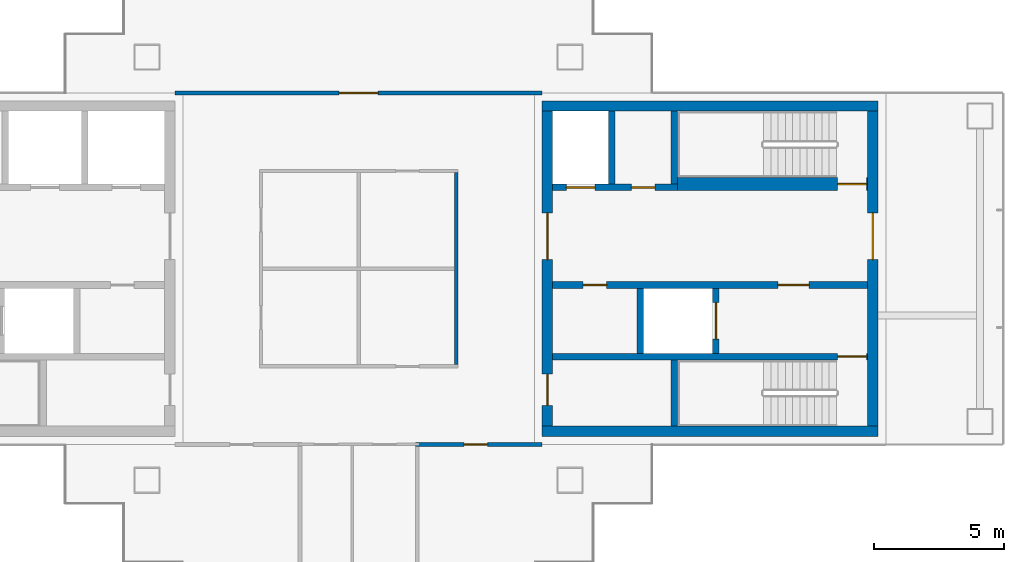
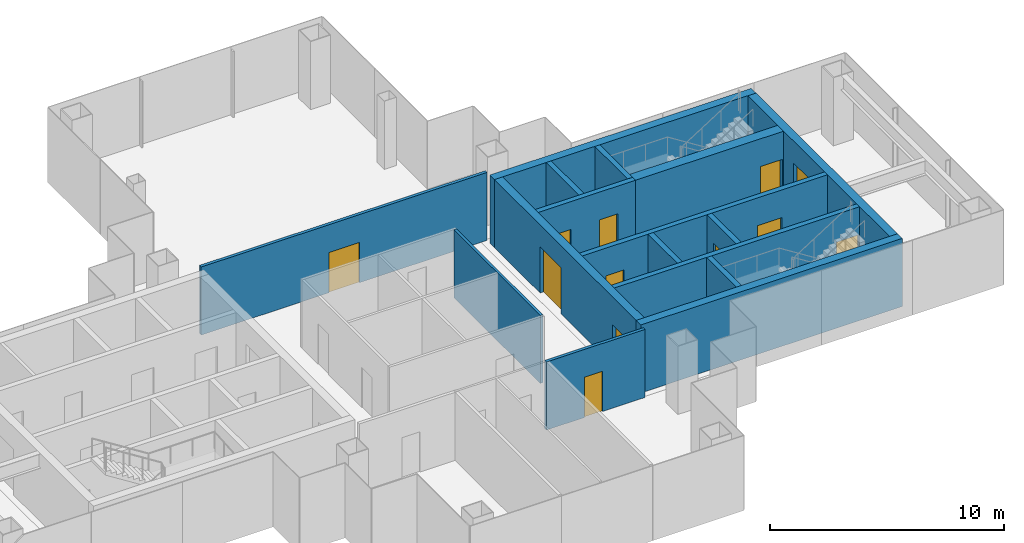
# One storey, part 11 of 15: 16 walls, 12 doors, 12 openings.
"""IFC4 building model written with IfcOpenShell, lengths in metres."""

import ifcopenshell
import ifcopenshell.guid

model = None  # the IFC model being written
_history = None  # IfcOwnerHistory: only IFC2X3 demands one
_inside = {}  # id of a spatial element -> (the spatial element, [elements in it])
_under = {}  # id of a project, library or spatial element -> (it, [spatial elements below it])
_declared = {}  # id of a project -> (the project, [libraries it declares])
_typed = {}  # id of a type object -> (the type object, [elements of that type])
_made_of = {}  # id of a material, layer set ... -> (it, [elements and type objects made of it])


def new_model(schema):
    """Start an empty IFC model of exactly this schema.

    Asked for "IFC4X3", IfcOpenShell would pick the latest addendum, in which some entities
    have other attributes; the version numbers below select the first issue.
    IFC2X3 requires an IfcOwnerHistory on every rooted entity: one is made here for all.
    """
    global model, _history
    if schema == "IFC4X3":
        model = ifcopenshell.file(schema_version=(4, 3, 0, 0))
    else:
        model = ifcopenshell.file(schema=schema)
    _inside.clear()
    _under.clear()
    _declared.clear()
    _typed.clear()
    _made_of.clear()
    _history = None
    if model.schema == "IFC2X3":
        org = make("IfcOrganization", Name="unknown")
        user = make(
            "IfcPersonAndOrganization",
            ThePerson=make("IfcPerson", FamilyName="unknown"),
            TheOrganization=org,
        )
        app = make(
            "IfcApplication",
            ApplicationDeveloper=org,
            Version="unknown",
            ApplicationFullName="unknown",
            ApplicationIdentifier="unknown",
        )
        _history = make(
            "IfcOwnerHistory",
            OwningUser=user,
            OwningApplication=app,
            ChangeAction="ADDED",
            CreationDate=0,
        )
    return model


def make(cls, **values):
    """One entity of the class cls with the attributes given. An attribute that is None is left unset."""
    return model.create_entity(
        cls, **{name: value for name, value in values.items() if value is not None}
    )


def rooted(cls, **values):
    """An entity with a GlobalId (a new one), such as an element, a storey or a relation."""
    return make(cls, GlobalId=ifcopenshell.guid.new(), OwnerHistory=_history, **values)


def si_unit(unit_type, name, prefix=None):
    """IfcSIUnit, for example si_unit("LENGTHUNIT", "METRE", prefix="MILLI")."""
    return make("IfcSIUnit", UnitType=unit_type, Prefix=prefix, Name=name)


def assignment(units):
    """IfcUnitAssignment: the units of a project."""
    return None if units is None else make("IfcUnitAssignment", Units=units)


def point(xyz):
    """IfcCartesianPoint."""
    return None if xyz is None else make("IfcCartesianPoint", Coordinates=xyz)


def direction(xyz):
    """IfcDirection."""
    return None if xyz is None else make("IfcDirection", DirectionRatios=xyz)


def frame(location, z_axis=None, x_axis=None):
    """IfcAxis2Placement3D, a coordinate frame: its origin and axes. An axis left out is left unset."""
    return make(
        "IfcAxis2Placement3D",
        Location=point(location),
        Axis=direction(z_axis),
        RefDirection=direction(x_axis),
    )


def frame_2d(location, x_axis=None):
    """IfcAxis2Placement2D, a coordinate frame in the plane: its origin and x axis."""
    return make(
        "IfcAxis2Placement2D", Location=point(location), RefDirection=direction(x_axis)
    )


def origin():
    """The frame at (0, 0, 0) with its axes left unset."""
    return frame((0.0, 0.0, 0.0))


def place(relative_to, where):
    """IfcLocalPlacement: puts the frame where relative to a parent placement (None: the world)."""
    return make(
        "IfcLocalPlacement", PlacementRelTo=relative_to, RelativePlacement=where
    )


def context(
    kind, dimensions, precision=None, world=None, true_north=None, identifier=None
):
    """IfcGeometricRepresentationContext, for example the 3D "Model" context."""
    return make(
        "IfcGeometricRepresentationContext",
        ContextIdentifier=identifier,
        ContextType=kind,
        CoordinateSpaceDimension=dimensions,
        Precision=precision,
        WorldCoordinateSystem=world,
        TrueNorth=true_north,
    )


def subcontext(parent, identifier, kind, view, scale=None):
    """IfcGeometricRepresentationSubContext, for example "Body" below "Model"."""
    return make(
        "IfcGeometricRepresentationSubContext",
        ContextIdentifier=identifier,
        ContextType=kind,
        ParentContext=parent,
        TargetScale=scale,
        TargetView=view,
    )


def project(units=None, contexts=None):
    """IfcProject with its units and contexts."""
    return rooted(
        "IfcProject",
        Name="project",
        RepresentationContexts=contexts,
        UnitsInContext=assignment(units),
    )


def spatial(cls, under=None, at=None, **own):
    """A site, building, storey or space (cls), placed at a placement, below another one or the project."""
    s = rooted(cls, ObjectPlacement=at, **own)
    if under is not None:
        _under.setdefault(under.id(), (under, []))[1].append(s)
    return s


def profile(cls, at=None, kind="AREA", **sizes):
    """A parametric profile (cls). Its sizes go by their IFC names, for example OverallWidth=200.0."""
    return make(cls, ProfileType=kind, Position=at, **sizes)


def rectangle(**sizes):
    """IfcRectangleProfileDef."""
    return profile("IfcRectangleProfileDef", **sizes)


def extrude(swept, where, along, depth):
    """IfcExtrudedAreaSolid: the profile swept, set in the frame where, extruded along a direction by depth."""
    return make(
        "IfcExtrudedAreaSolid",
        SweptArea=swept,
        Position=where,
        ExtrudedDirection=direction(along),
        Depth=depth,
    )


def shape(context_of_items, identifier, shape_type, items):
    """IfcShapeRepresentation: the items that make up one representation, for example the "Body"."""
    return make(
        "IfcShapeRepresentation",
        ContextOfItems=context_of_items,
        RepresentationIdentifier=identifier,
        RepresentationType=shape_type,
        Items=items,
    )


def material(Name=None, Category=None):
    """IfcMaterial."""
    return make("IfcMaterial", Name=Name, Category=Category)


def layer(
    of_material, thickness, ventilated=None, Name=None, Category=None, Priority=None
):
    """IfcMaterialLayer: one layer of a wall or slab, of a material (None: an air gap)."""
    return make(
        "IfcMaterialLayer",
        Material=of_material,
        LayerThickness=thickness,
        IsVentilated=ventilated,
        Name=Name,
        Category=Category,
        Priority=Priority,
    )


def layer_set(layers, Name=None):
    """IfcMaterialLayerSet."""
    return make("IfcMaterialLayerSet", MaterialLayers=layers, LayerSetName=Name)


def made_of(thing, what):
    """Note that an element or type object is made of a material, layer set ...; save() writes the relation."""
    if what is not None:
        _made_of.setdefault(what.id(), (what, []))[1].append(thing)
    return thing


def type_object(cls, material=None, **own):
    """A type object (cls), such as IfcWallType, which elements share."""
    return made_of(rooted(cls, **own), material)


def element(
    cls,
    number,
    at=None,
    inside=None,
    cuts=None,
    type_object=None,
    material=None,
    context=None,
    identifier="Body",
    shape_type=None,
    held_by="IfcProductDefinitionShape",
    body=None,
    shapes=None,
    **own,
):
    """One element of the class cls, such as IfcWall. Its Tag is "e" and its number.

    at: its placement. inside: the storey or other place that contains it. cuts: it is an
    opening in that element (IfcRelVoidsElement). A single representation is given by context,
    identifier, shape_type and body (its items); several are given by shapes. held_by: the class
    of the entity that holds the representations. save() writes the other relations.
    """
    e = rooted(cls, Tag="e%d" % number, ObjectPlacement=at, **own)
    if body is not None:
        shapes = [shape(context, identifier, shape_type, body)]
    if shapes is not None:
        e.Representation = make(held_by, Representations=shapes)
    if inside is not None:
        _inside.setdefault(inside.id(), (inside, []))[1].append(e)
    if cuts is not None:
        rooted(
            "IfcRelVoidsElement", RelatingBuildingElement=cuts, RelatedOpeningElement=e
        )
    if type_object is not None:
        _typed.setdefault(type_object.id(), (type_object, []))[1].append(e)
    return made_of(e, material)


def fill(opening, filler):
    """IfcRelFillsElement: the door or window that sits in an opening."""
    return rooted(
        "IfcRelFillsElement",
        RelatingOpeningElement=opening,
        RelatedBuildingElement=filler,
    )


def aggregate(whole, parts):
    """IfcRelAggregates: a whole, such as a stair, and the parts it consists of."""
    return rooted("IfcRelAggregates", RelatingObject=whole, RelatedObjects=parts)


def save(model, path):
    """Write the relations noted so far, then the file.

    IfcRelAggregates (storeys below a building ...), IfcRelContainedInSpatialStructure (elements
    in a storey), IfcRelDefinesByType, IfcRelAssociatesMaterial and IfcRelDeclares: one each for
    every whole, place, type object, material and project.
    """
    for whole, parts in _under.values():
        aggregate(whole, parts)
    for where, things in _inside.values():
        rooted(
            "IfcRelContainedInSpatialStructure",
            RelatedElements=things,
            RelatingStructure=where,
        )
    for kind, things in _typed.values():
        rooted("IfcRelDefinesByType", RelatedObjects=things, RelatingType=kind)
    for what, things in _made_of.values():
        rooted("IfcRelAssociatesMaterial", RelatedObjects=things, RelatingMaterial=what)
    for by, libraries in _declared.values():
        rooted("IfcRelDeclares", RelatingContext=by, RelatedDefinitions=libraries)
    model.write(path)


model = new_model("IFC4")

# Units and contexts
model_context = context("Model", 3, precision=1e-05, world=origin(), true_north=direction((0.0, 1.0)))
body_context = subcontext(model_context, "Body", "Model", "MODEL_VIEW")
ifc_project = project(units=[si_unit("LENGTHUNIT", "METRE"), si_unit("AREAUNIT", "SQUARE_METRE"), si_unit("VOLUMEUNIT", "CUBIC_METRE"), si_unit("PLANEANGLEUNIT", "RADIAN"), si_unit("MASSUNIT", "GRAM", prefix="KILO")], contexts=[model_context])

# Site, building, storey
site_placement = place(None, origin())
site = spatial("IfcSite", under=ifc_project, at=site_placement, CompositionType="ELEMENT")
building_placement = place(site_placement, origin())
building = spatial("IfcBuilding", under=site, at=building_placement, Name="Shamsa Quay Exchange Towers", CompositionType="ELEMENT")
storey_placement = place(building_placement, frame((0.0, 0.0, 206.10009765625)))
storey = spatial("IfcBuildingStorey", under=building, at=storey_placement, Name="L49", CompositionType="ELEMENT", Elevation=206.10009765625)

# Walls
ifc_material_1 = material(Name="Concrete C60/75", Category="concrete")
ifc_layer_1 = layer(ifc_material_1, 0.39990234375)
ifc_layer_set_1 = layer_set([ifc_layer_1], Name="CORE WALL 400 C60/75")
wall_type_1 = type_object("IfcWallType", Name="CORE WALL 400 C60/75", PredefinedType="SHEAR", material=ifc_layer_set_1)
for number, where, z_axis, x_axis, name in (
    (1, (53.699951171875, -6.25, 0.0), (0.0, 0.0, 1.0), (-1.0, 0.0, 0.0), "Core wall T2B-R22-PS"),
    (2, (53.699951171875, 6.25, 0.0), (0.0, 0.0, 1.0), (-1.0, 0.0, 0.0), "Core wall T2B-R22-PN"),
):
    element("IfcWall", number, at=place(storey_placement, frame(where, z_axis=z_axis, x_axis=x_axis)), inside=storey, type_object=wall_type_1, Name=name, PredefinedType="SHEAR", context=body_context, shape_type="SweptSolid", body=[
        extrude(rectangle(XDim=12.89990234375, YDim=0.39990234375, at=frame_2d((6.449951171875, 0.0))), origin(), (0.0, 0.0, 1.0), 3.5498046875),
    ])

# Wall, opening, door
wall_1_placement = place(storey_placement, frame((53.5, -6.050048828125, 0.0), z_axis=(0.0, 0.0, 1.0), x_axis=(0.0, 1.0, 0.0)))
wall_1 = element("IfcWall", 3, at=wall_1_placement, inside=storey, type_object=wall_type_1, Name="Core wall T2B-R22-PF", PredefinedType="SHEAR", context=body_context, shape_type="SweptSolid", body=[
    extrude(rectangle(XDim=12.10009765625, YDim=0.39990234375, at=frame_2d((6.050048828125, 0.0))), origin(), (0.0, 0.0, 1.0), 3.5498046875),
])
opening_1_placement = place(wall_1_placement, frame((6.39990234375, 0.0, 0.0)))
opening_1 = element("IfcOpeningElement", 4, at=opening_1_placement, cuts=wall_1, Name="Opening T2B-R22-LBD01", PredefinedType="OPENING", context=body_context, shape_type="SweptSolid", body=[
    extrude(rectangle(XDim=1.800048828125, YDim=2.39990234375, at=frame_2d((0.89990234375, 1.199951171875))), frame((0.0, 0.2099609375, 0.0), z_axis=(0.0, -1.0, 0.0), x_axis=(1.0, 0.0, 0.0)), (0.0, 0.0, 1.0), 0.419921875),
])
ifc_material_2 = material(Name="Steel, fire rated", Category="steel")
door_type_1 = type_object("IfcDoorType", Name="LIFT LOBBY DOOR PAIR 1800", OperationType="DOUBLE_DOOR_SINGLE_SWING", PredefinedType="DOOR", material=ifc_material_2)
door_1_placement = place(opening_1_placement, origin())
door_1 = element("IfcDoor", 5, at=door_1_placement, inside=storey, type_object=door_type_1, Name="T2B-R22-LBD01", OperationType="DOUBLE_DOOR_SINGLE_SWING", OverallHeight=2.39990234375, OverallWidth=1.800048828125, PredefinedType="DOOR", context=body_context, shape_type="SweptSolid", body=[
    extrude(rectangle(XDim=1.800048828125, YDim=2.39990234375, at=frame_2d((0.89990234375, 1.199951171875))), frame((0.0, 0.02490234375, 0.0), z_axis=(0.0, -1.0, 0.0), x_axis=(1.0, 0.0, 0.0)), (0.0, 0.0, 1.0), 0.050048828125),
])
fill(opening_1, door_1)

# Wall, openings, doors
wall_2_placement = place(storey_placement, frame((41.0, -6.050048828125, 0.0), z_axis=(0.0, 0.0, 1.0), x_axis=(0.0, 1.0, 0.0)))
wall_2 = element("IfcWall", 6, at=wall_2_placement, inside=storey, type_object=wall_type_1, Name="Core wall T2B-R22-PB", PredefinedType="SHEAR", context=body_context, shape_type="SweptSolid", body=[
    extrude(rectangle(XDim=12.10009765625, YDim=0.39990234375, at=frame_2d((6.050048828125, 0.0))), origin(), (0.0, 0.0, 1.0), 3.5498046875),
])
opening_2_placement = place(wall_2_placement, frame((0.800048828125, 0.0, 0.0)))
opening_2 = element("IfcOpeningElement", 7, at=opening_2_placement, cuts=wall_2, Name="Opening T2B-R22-RD02", PredefinedType="OPENING", context=body_context, shape_type="SweptSolid", body=[
    extrude(rectangle(XDim=1.199951171875, YDim=2.10009765625, at=frame_2d((0.60009765625, 1.050048828125))), frame((0.0, 0.2099609375, 0.0), z_axis=(0.0, -1.0, 0.0), x_axis=(1.0, 0.0, 0.0)), (0.0, 0.0, 1.0), 0.419921875),
])
opening_3_placement = place(wall_2_placement, frame((6.39990234375, 0.0, 0.0)))
opening_3 = element("IfcOpeningElement", 8, at=opening_3_placement, cuts=wall_2, Name="Opening T2B-R22-LBD03", PredefinedType="OPENING", context=body_context, shape_type="SweptSolid", body=[
    extrude(rectangle(XDim=1.800048828125, YDim=2.39990234375, at=frame_2d((0.89990234375, 1.199951171875))), frame((0.0, 0.2099609375, 0.0), z_axis=(0.0, -1.0, 0.0), x_axis=(1.0, 0.0, 0.0)), (0.0, 0.0, 1.0), 0.419921875),
])
door_2_placement = place(opening_3_placement, origin())
door_2 = element("IfcDoor", 9, at=door_2_placement, inside=storey, type_object=door_type_1, Name="T2B-R22-LBD03", OperationType="DOUBLE_DOOR_SINGLE_SWING", OverallHeight=2.39990234375, OverallWidth=1.800048828125, PredefinedType="DOOR", context=body_context, shape_type="SweptSolid", body=[
    extrude(rectangle(XDim=1.800048828125, YDim=2.39990234375, at=frame_2d((0.89990234375, 1.199951171875))), frame((0.0, 0.02490234375, 0.0), z_axis=(0.0, -1.0, 0.0), x_axis=(1.0, 0.0, 0.0)), (0.0, 0.0, 1.0), 0.050048828125),
])
fill(opening_3, door_2)
door_type_2 = type_object("IfcDoorType", Name="RISER ACCESS DOOR 1200", OperationType="SINGLE_SWING_LEFT", PredefinedType="DOOR", material=ifc_material_2)
door_3_placement = place(opening_2_placement, origin())
door_3 = element("IfcDoor", 10, at=door_3_placement, inside=storey, type_object=door_type_2, Name="T2B-R22-RD02", OperationType="SINGLE_SWING_LEFT", OverallHeight=2.10009765625, OverallWidth=1.199951171875, PredefinedType="DOOR", context=body_context, shape_type="SweptSolid", body=[
    extrude(rectangle(XDim=1.199951171875, YDim=2.10009765625, at=frame_2d((0.60009765625, 1.050048828125))), frame((0.0, 0.02490234375, 0.0), z_axis=(0.0, -1.0, 0.0), x_axis=(1.0, 0.0, 0.0)), (0.0, 0.0, 1.0), 0.050048828125),
])
fill(opening_2, door_3)

# Wall
ifc_material_3 = material(Name="Laminated fire-resisting glass in a metal frame", Category="glass")
ifc_layer_2 = layer(ifc_material_3, 0.125)
ifc_layer_set_2 = layer_set([ifc_layer_2], Name="Glazed partition 125 mm EI 60")
wall_type_2 = type_object("IfcWallType", Name="Glazed partition 125 mm EI 60", PredefinedType="PARTITIONING", material=ifc_layer_set_2)
wall_3_placement = place(storey_placement, frame((37.5, -3.6875, 0.0), z_axis=(0.0, 0.0, 1.0), x_axis=(0.0, 1.0, 0.0)))
element("IfcWall", 11, at=wall_3_placement, inside=storey, type_object=wall_type_2, Name="Partition T2-R22-W04", PredefinedType="PARTITIONING", context=body_context, shape_type="SweptSolid", body=[
    extrude(rectangle(XDim=7.375, YDim=0.125, at=frame_2d((3.6875, 0.0))), origin(), (0.0, 0.0, 1.0), 3.5498046875),
])

# Wall, opening, door
ifc_material_4 = material(Name="Gypsum board partition on metal studs")
ifc_layer_3 = layer(ifc_material_4, 0.14990234375)
ifc_layer_set_3 = layer_set([ifc_layer_3], Name="Partition 150 mm EI 60")
wall_type_3 = type_object("IfcWallType", Name="Partition 150 mm EI 60", PredefinedType="PARTITIONING", material=ifc_layer_set_3)
wall_4_placement = place(storey_placement, frame((26.699951171875, 6.75, 0.0)))
wall_4 = element("IfcWall", 12, at=wall_4_placement, inside=storey, type_object=wall_type_3, Name="Partition T2-R22-W05", PredefinedType="PARTITIONING", context=body_context, shape_type="SweptSolid", body=[
    extrude(rectangle(XDim=14.10009765625, YDim=0.14990234375, at=frame_2d((7.050048828125, 0.0))), origin(), (0.0, 0.0, 1.0), 3.5498046875),
])
opening_4_placement = place(wall_4_placement, frame((6.300048828125, 0.0, 0.0)))
opening_4 = element("IfcOpeningElement", 13, at=opening_4_placement, cuts=wall_4, Name="Opening T2-R22-D01", PredefinedType="OPENING", context=body_context, shape_type="SweptSolid", body=[
    extrude(rectangle(XDim=1.5, YDim=2.10009765625, at=frame_2d((0.75, 1.050048828125))), frame((0.0, 0.0849609375, 0.0), z_axis=(0.0, -1.0, 0.0), x_axis=(1.0, 0.0, 0.0)), (0.0, 0.0, 1.0), 0.169921875),
])
ifc_material_5 = material(Name="Timber door leaf in a metal frame", Category="wood")
door_type_3 = type_object("IfcDoorType", Name="Door 1500x2100 FD30S pair", OperationType="NOTDEFINED", PredefinedType="DOOR", material=ifc_material_5)
door_4_placement = place(opening_4_placement, origin())
door_4 = element("IfcDoor", 14, at=door_4_placement, inside=storey, type_object=door_type_3, Name="Door T2-R22-D01", OperationType="DOUBLE_DOOR_SINGLE_SWING", OverallHeight=2.10009765625, OverallWidth=1.5, PredefinedType="DOOR", context=body_context, shape_type="SweptSolid", body=[
    extrude(rectangle(XDim=1.5, YDim=2.10009765625, at=frame_2d((0.75, 1.050048828125))), frame((0.0, 0.02490234375, 0.0), z_axis=(0.0, -1.0, 0.0), x_axis=(1.0, 0.0, 0.0)), (0.0, 0.0, 1.0), 0.050048828125),
])
fill(opening_4, door_4)

wall_5_placement = place(storey_placement, frame((40.800048828125, -6.75, 0.0), z_axis=(0.0, 0.0, 1.0), x_axis=(-1.0, 0.0, 0.0)))
wall_5 = element("IfcWall", 15, at=wall_5_placement, inside=storey, type_object=wall_type_3, Name="Partition T2-R22-W07", PredefinedType="PARTITIONING", context=body_context, shape_type="SweptSolid", body=[
    extrude(rectangle(XDim=4.875, YDim=0.14990234375, at=frame_2d((2.4375, 0.0))), origin(), (0.0, 0.0, 1.0), 3.5498046875),
])
opening_5_placement = place(wall_5_placement, frame((2.10009765625, 0.0, 0.0)))
opening_5 = element("IfcOpeningElement", 16, at=opening_5_placement, cuts=wall_5, Name="Opening T2-R22-D03", PredefinedType="OPENING", context=body_context, shape_type="SweptSolid", body=[
    extrude(rectangle(XDim=0.89990234375, YDim=2.10009765625, at=frame_2d((0.449951171875, 1.050048828125))), frame((0.0, 0.0849609375, 0.0), z_axis=(0.0, -1.0, 0.0), x_axis=(1.0, 0.0, 0.0)), (0.0, 0.0, 1.0), 0.169921875),
])
door_type_4 = type_object("IfcDoorType", Name="Door 900x2100 FD30S", OperationType="NOTDEFINED", PredefinedType="DOOR", material=ifc_material_5)
door_5_placement = place(opening_5_placement, origin())
door_5 = element("IfcDoor", 17, at=door_5_placement, inside=storey, type_object=door_type_4, Name="Door T2-R22-D03", OperationType="SINGLE_SWING_RIGHT", OverallHeight=2.10009765625, OverallWidth=0.89990234375, PredefinedType="DOOR", context=body_context, shape_type="SweptSolid", body=[
    extrude(rectangle(XDim=0.89990234375, YDim=2.10009765625, at=frame_2d((0.449951171875, 1.050048828125))), frame((0.0, 0.02490234375, 0.0), z_axis=(0.0, -1.0, 0.0), x_axis=(1.0, 0.0, 0.0)), (0.0, 0.0, 1.0), 0.050048828125),
])
fill(opening_5, door_5)

ifc_material_6 = material(Name="Concrete C50/60", Category="concrete")
ifc_layer_4 = layer(ifc_material_6, 0.25)
ifc_layer_set_4 = layer_set([ifc_layer_4], Name="SHAFT WALL 250 C50/60")
wall_type_4 = type_object("IfcWallType", Name="SHAFT WALL 250 C50/60", PredefinedType="SHEAR", material=ifc_layer_set_4)
wall_6_placement = place(storey_placement, frame((53.300048828125, -3.375, 0.0), z_axis=(0.0, 0.0, 1.0), x_axis=(-1.0, 0.0, 0.0)))
wall_6 = element("IfcWall", 18, at=wall_6_placement, inside=storey, type_object=wall_type_4, Name="Shaft wall T2B-R22-STL", PredefinedType="SHEAR", context=body_context, shape_type="SweptSolid", body=[
    extrude(rectangle(XDim=12.10009765625, YDim=0.25, at=frame_2d((6.050048828125, 0.0))), origin(), (0.0, 0.0, 1.0), 3.5498046875),
])
opening_6_placement = place(wall_6_placement, frame((0.050048828125, 0.0, 0.0)))
opening_6 = element("IfcOpeningElement", 19, at=opening_6_placement, cuts=wall_6, Name="Opening T2B-R22-SD04", PredefinedType="OPENING", context=body_context, shape_type="SweptSolid", body=[
    extrude(rectangle(XDim=1.10009765625, YDim=2.10009765625, at=frame_2d((0.550048828125, 1.050048828125))), frame((0.0, 0.135009765625, 0.0), z_axis=(0.0, -1.0, 0.0), x_axis=(1.0, 0.0, 0.0)), (0.0, 0.0, 1.0), 0.27001953125),
])
door_type_5 = type_object("IfcDoorType", Name="STAIR DOOR 1100", OperationType="SINGLE_SWING_LEFT", PredefinedType="DOOR", material=ifc_material_2)
door_6_placement = place(opening_6_placement, origin())
door_6 = element("IfcDoor", 20, at=door_6_placement, inside=storey, type_object=door_type_5, Name="T2B-R22-SD04", OperationType="SINGLE_SWING_LEFT", OverallHeight=2.10009765625, OverallWidth=1.10009765625, PredefinedType="DOOR", context=body_context, shape_type="SweptSolid", body=[
    extrude(rectangle(XDim=1.10009765625, YDim=2.10009765625, at=frame_2d((0.550048828125, 1.050048828125))), frame((0.0, 0.02490234375, 0.0), z_axis=(0.0, -1.0, 0.0), x_axis=(1.0, 0.0, 0.0)), (0.0, 0.0, 1.0), 0.050048828125),
])
fill(opening_6, door_6)

# Wall
wall_7_placement = place(storey_placement, frame((45.875, -6.050048828125, 0.0), z_axis=(0.0, 0.0, 1.0), x_axis=(0.0, 1.0, 0.0)))
element("IfcWall", 21, at=wall_7_placement, inside=storey, type_object=wall_type_4, Name="Shaft wall T2B-R22-STF", PredefinedType="SHEAR", context=body_context, shape_type="SweptSolid", body=[
    extrude(rectangle(XDim=2.550048828125, YDim=0.25, at=frame_2d((1.27490234375, 0.0))), origin(), (0.0, 0.0, 1.0), 3.5498046875),
])

# Wall, openings, doors
wall_8_placement = place(storey_placement, frame((53.300048828125, -0.625, 0.0), z_axis=(0.0, 0.0, 1.0), x_axis=(-1.0, 0.0, 0.0)))
wall_8 = element("IfcWall", 22, at=wall_8_placement, inside=storey, type_object=wall_type_4, Name="Shaft wall T2B-R22-B", PredefinedType="SHEAR", context=body_context, shape_type="SweptSolid", body=[
    extrude(rectangle(XDim=12.10009765625, YDim=0.25, at=frame_2d((6.050048828125, 0.0))), origin(), (0.0, 0.0, 1.0), 3.5498046875),
])
opening_7_placement = place(wall_8_placement, frame((2.25, 0.0, 0.0)))
opening_7 = element("IfcOpeningElement", 23, at=opening_7_placement, cuts=wall_8, Name="Opening T2B-R22-FD05", PredefinedType="OPENING", context=body_context, shape_type="SweptSolid", body=[
    extrude(rectangle(XDim=1.199951171875, YDim=2.10009765625, at=frame_2d((0.60009765625, 1.050048828125))), frame((0.0, 0.135009765625, 0.0), z_axis=(0.0, -1.0, 0.0), x_axis=(1.0, 0.0, 0.0)), (0.0, 0.0, 1.0), 0.27001953125),
])
opening_8_placement = place(wall_8_placement, frame((10.02490234375, 0.0, 0.0)))
opening_8 = element("IfcOpeningElement", 24, at=opening_8_placement, cuts=wall_8, Name="Opening T2B-R22-SV06", PredefinedType="OPENING", context=body_context, shape_type="SweptSolid", body=[
    extrude(rectangle(XDim=0.89990234375, YDim=2.10009765625, at=frame_2d((0.449951171875, 1.050048828125))), frame((0.0, 0.135009765625, 0.0), z_axis=(0.0, -1.0, 0.0), x_axis=(1.0, 0.0, 0.0)), (0.0, 0.0, 1.0), 0.27001953125),
])
door_type_6 = type_object("IfcDoorType", Name="FIRE SERVICE LOBBY DOOR 1200", OperationType="SINGLE_SWING_LEFT", PredefinedType="DOOR", material=ifc_material_2)
door_7_placement = place(opening_7_placement, origin())
door_7 = element("IfcDoor", 25, at=door_7_placement, inside=storey, type_object=door_type_6, Name="T2B-R22-FD05", OperationType="SINGLE_SWING_LEFT", OverallHeight=2.10009765625, OverallWidth=1.199951171875, PredefinedType="DOOR", context=body_context, shape_type="SweptSolid", body=[
    extrude(rectangle(XDim=1.199951171875, YDim=2.10009765625, at=frame_2d((0.60009765625, 1.050048828125))), frame((0.0, 0.02490234375, 0.0), z_axis=(0.0, -1.0, 0.0), x_axis=(1.0, 0.0, 0.0)), (0.0, 0.0, 1.0), 0.050048828125),
])
fill(opening_7, door_7)
door_type_7 = type_object("IfcDoorType", Name="SERVICE ROOM DOOR 900", OperationType="SINGLE_SWING_LEFT", PredefinedType="DOOR", material=ifc_material_2)
door_8_placement = place(opening_8_placement, origin())
door_8 = element("IfcDoor", 26, at=door_8_placement, inside=storey, type_object=door_type_7, Name="T2B-R22-SV06", OperationType="SINGLE_SWING_RIGHT", OverallHeight=2.10009765625, OverallWidth=0.89990234375, PredefinedType="DOOR", context=body_context, shape_type="SweptSolid", body=[
    extrude(rectangle(XDim=0.89990234375, YDim=2.10009765625, at=frame_2d((0.449951171875, 1.050048828125))), frame((0.0, 0.02490234375, 0.0), z_axis=(0.0, -1.0, 0.0), x_axis=(1.0, 0.0, 0.0)), (0.0, 0.0, 1.0), 0.050048828125),
])
fill(opening_8, door_8)

# Wall, opening, door
wall_9_placement = place(storey_placement, frame((47.47509765625, -3.25, 0.0), z_axis=(0.0, 0.0, 1.0), x_axis=(0.0, 1.0, 0.0)))
wall_9 = element("IfcWall", 27, at=wall_9_placement, inside=storey, type_object=wall_type_4, Name="Shaft wall T2B-R22-FFF", PredefinedType="SHEAR", context=body_context, shape_type="SweptSolid", body=[
    extrude(rectangle(XDim=2.5, YDim=0.25, at=frame_2d((1.25, 0.0))), origin(), (0.0, 0.0, 1.0), 3.5498046875),
])
opening_9_placement = place(wall_9_placement, frame((0.550048828125, 0.0, 0.0)))
opening_9 = element("IfcOpeningElement", 28, at=opening_9_placement, cuts=wall_9, Name="Opening T2B-R22-LDG07", PredefinedType="OPENING", context=body_context, shape_type="SweptSolid", body=[
    extrude(rectangle(XDim=1.39990234375, YDim=2.39990234375, at=frame_2d((0.699951171875, 1.199951171875))), frame((0.0, 0.135009765625, 0.0), z_axis=(0.0, -1.0, 0.0), x_axis=(1.0, 0.0, 0.0)), (0.0, 0.0, 1.0), 0.27001953125),
])
door_type_8 = type_object("IfcDoorType", Name="GOODS LIFT LANDING DOOR 1400", OperationType="SLIDING_TO_LEFT", PredefinedType="DOOR", material=ifc_material_2)
door_9_placement = place(opening_9_placement, origin())
door_9 = element("IfcDoor", 29, at=door_9_placement, inside=storey, type_object=door_type_8, Name="T2B-R22-LDG07", OperationType="SLIDING_TO_LEFT", OverallHeight=2.39990234375, OverallWidth=1.39990234375, PredefinedType="DOOR", context=body_context, shape_type="SweptSolid", body=[
    extrude(rectangle(XDim=1.39990234375, YDim=2.39990234375, at=frame_2d((0.699951171875, 1.199951171875))), frame((0.0, 0.02490234375, 0.0), z_axis=(0.0, -1.0, 0.0), x_axis=(1.0, 0.0, 0.0)), (0.0, 0.0, 1.0), 0.050048828125),
])
fill(opening_9, door_9)

# Wall
wall_10_placement = place(storey_placement, frame((44.574951171875, -3.25, 0.0), z_axis=(0.0, 0.0, 1.0), x_axis=(0.0, 1.0, 0.0)))
element("IfcWall", 30, at=wall_10_placement, inside=storey, type_object=wall_type_4, Name="Shaft wall T2B-R22-FFB", PredefinedType="SHEAR", context=body_context, shape_type="SweptSolid", body=[
    extrude(rectangle(XDim=2.5, YDim=0.25, at=frame_2d((1.25, 0.0))), origin(), (0.0, 0.0, 1.0), 3.5498046875),
])

# Wall, openings, doors
wall_11_placement = place(storey_placement, frame((41.199951171875, 3.125, 0.0)))
wall_11 = element("IfcWall", 31, at=wall_11_placement, inside=storey, type_object=wall_type_4, Name="Shaft wall T2B-R22-N2", PredefinedType="SHEAR", context=body_context, shape_type="SweptSolid", body=[
    extrude(rectangle(XDim=4.800048828125, YDim=0.25, at=frame_2d((2.39990234375, 0.0))), origin(), (0.0, 0.0, 1.0), 3.5498046875),
])
opening_10_placement = place(wall_11_placement, frame((0.52490234375, 0.0, 0.0)))
opening_10 = element("IfcOpeningElement", 32, at=opening_10_placement, cuts=wall_11, Name="Opening T2B-R22-LD09", PredefinedType="OPENING", context=body_context, shape_type="SweptSolid", body=[
    extrude(rectangle(XDim=1.10009765625, YDim=2.10009765625, at=frame_2d((0.550048828125, 1.050048828125))), frame((0.0, 0.135009765625, 0.0), z_axis=(0.0, -1.0, 0.0), x_axis=(1.0, 0.0, 0.0)), (0.0, 0.0, 1.0), 0.27001953125),
])
opening_11_placement = place(wall_11_placement, frame((3.02490234375, 0.0, 0.0)))
opening_11 = element("IfcOpeningElement", 33, at=opening_11_placement, cuts=wall_11, Name="Opening T2B-R22-SV10", PredefinedType="OPENING", context=body_context, shape_type="SweptSolid", body=[
    extrude(rectangle(XDim=0.89990234375, YDim=2.10009765625, at=frame_2d((0.449951171875, 1.050048828125))), frame((0.0, 0.135009765625, 0.0), z_axis=(0.0, -1.0, 0.0), x_axis=(1.0, 0.0, 0.0)), (0.0, 0.0, 1.0), 0.27001953125),
])
door_type_9 = type_object("IfcDoorType", Name="LANDING DOOR 1100", OperationType="SLIDING_TO_LEFT", PredefinedType="DOOR", material=ifc_material_2)
door_10_placement = place(opening_10_placement, origin())
door_10 = element("IfcDoor", 34, at=door_10_placement, inside=storey, type_object=door_type_9, Name="T2B-R22-LD09", OperationType="SLIDING_TO_LEFT", OverallHeight=2.10009765625, OverallWidth=1.10009765625, PredefinedType="DOOR", context=body_context, shape_type="SweptSolid", body=[
    extrude(rectangle(XDim=1.10009765625, YDim=2.10009765625, at=frame_2d((0.550048828125, 1.050048828125))), frame((0.0, 0.02490234375, 0.0), z_axis=(0.0, -1.0, 0.0), x_axis=(1.0, 0.0, 0.0)), (0.0, 0.0, 1.0), 0.050048828125),
])
fill(opening_10, door_10)
door_11_placement = place(opening_11_placement, origin())
door_11 = element("IfcDoor", 35, at=door_11_placement, inside=storey, type_object=door_type_7, Name="T2B-R22-SV10", OperationType="SINGLE_SWING_RIGHT", OverallHeight=2.10009765625, OverallWidth=0.89990234375, PredefinedType="DOOR", context=body_context, shape_type="SweptSolid", body=[
    extrude(rectangle(XDim=0.89990234375, YDim=2.10009765625, at=frame_2d((0.449951171875, 1.050048828125))), frame((0.0, 0.02490234375, 0.0), z_axis=(0.0, -1.0, 0.0), x_axis=(1.0, 0.0, 0.0)), (0.0, 0.0, 1.0), 0.050048828125),
])
fill(opening_11, door_11)

# Walls
for number, where, z_axis, x_axis, name in (
    (36, (45.875, 3.25, 0.0), (0.0, 0.0, 1.0), (0.0, 1.0, 0.0), "Shaft wall T2B-R22-STF2"),
    (37, (43.47509765625, 3.25, 0.0), (0.0, 0.0, 1.0), (0.0, 1.0, 0.0), "Shaft wall T2B-R22-D0"),
):
    element("IfcWall", number, at=place(storey_placement, frame(where, z_axis=z_axis, x_axis=x_axis)), inside=storey, type_object=wall_type_4, Name=name, PredefinedType="SHEAR", context=body_context, shape_type="SweptSolid", body=[
        extrude(rectangle(XDim=2.800048828125, YDim=0.25, at=frame_2d((1.39990234375, 0.0))), origin(), (0.0, 0.0, 1.0), 3.5498046875),
    ])

# Wall, opening, door
ifc_layer_5 = layer(ifc_material_6, 0.5)
ifc_layer_set_5 = layer_set([ifc_layer_5], Name="SHAFT WALL 500 C50/60")
wall_type_5 = type_object("IfcWallType", Name="SHAFT WALL 500 C50/60", PredefinedType="SHEAR", material=ifc_layer_set_5)
wall_12_placement = place(storey_placement, frame((46.0, 3.25, 0.0)))
wall_12 = element("IfcWall", 38, at=wall_12_placement, inside=storey, type_object=wall_type_5, Name="Shaft wall T2B-R22-N", PredefinedType="SHEAR", context=body_context, shape_type="SweptSolid", body=[
    extrude(rectangle(XDim=7.300048828125, YDim=0.5, at=frame_2d((3.64990234375, 0.0))), origin(), (0.0, 0.0, 1.0), 3.5498046875),
])
opening_12_placement = place(wall_12_placement, frame((6.14990234375, 0.0, 0.0)))
opening_12 = element("IfcOpeningElement", 39, at=opening_12_placement, cuts=wall_12, Name="Opening T2B-R22-SD08", PredefinedType="OPENING", context=body_context, shape_type="SweptSolid", body=[
    extrude(rectangle(XDim=1.10009765625, YDim=2.10009765625, at=frame_2d((0.550048828125, 1.050048828125))), frame((0.0, 0.260009765625, 0.0), z_axis=(0.0, -1.0, 0.0), x_axis=(1.0, 0.0, 0.0)), (0.0, 0.0, 1.0), 0.52001953125),
])
door_12_placement = place(opening_12_placement, origin())
door_12 = element("IfcDoor", 40, at=door_12_placement, inside=storey, type_object=door_type_5, Name="T2B-R22-SD08", OperationType="SINGLE_SWING_RIGHT", OverallHeight=2.10009765625, OverallWidth=1.10009765625, PredefinedType="DOOR", context=body_context, shape_type="SweptSolid", body=[
    extrude(rectangle(XDim=1.10009765625, YDim=2.10009765625, at=frame_2d((0.550048828125, 1.050048828125))), frame((0.0, 0.02490234375, 0.0), z_axis=(0.0, -1.0, 0.0), x_axis=(1.0, 0.0, 0.0)), (0.0, 0.0, 1.0), 0.050048828125),
])
fill(opening_12, door_12)

save(model, "model.ifc")
